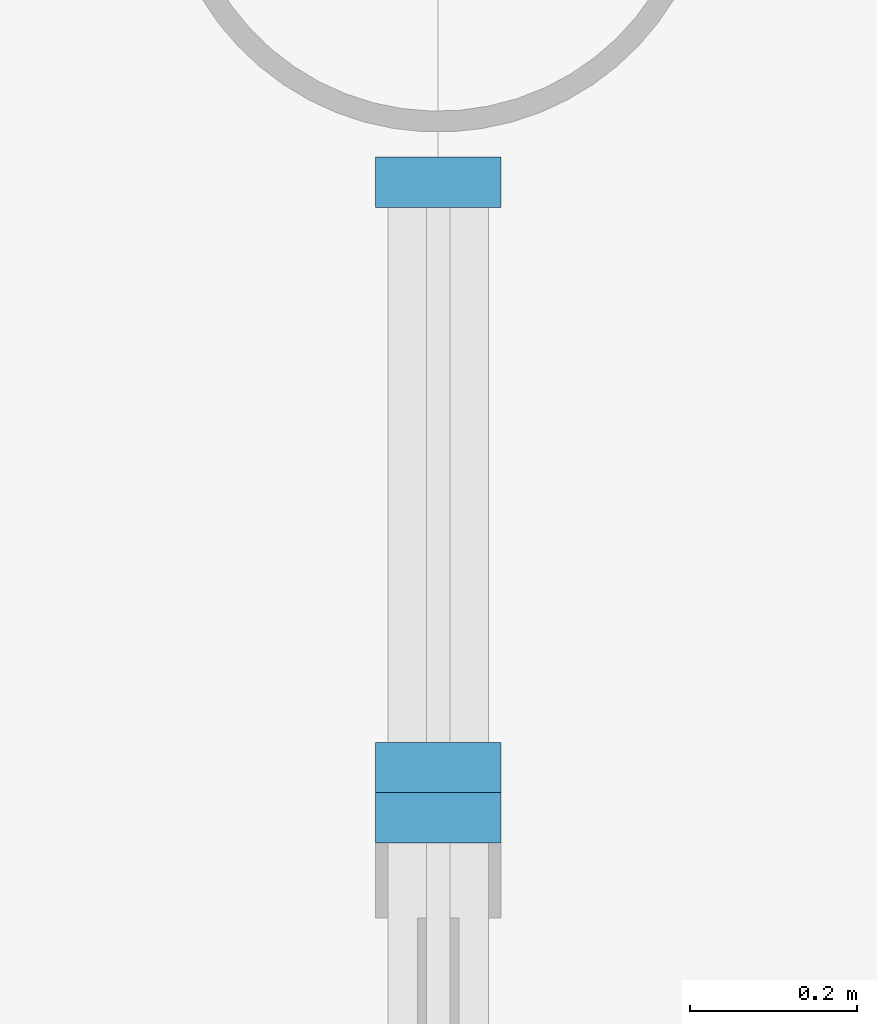
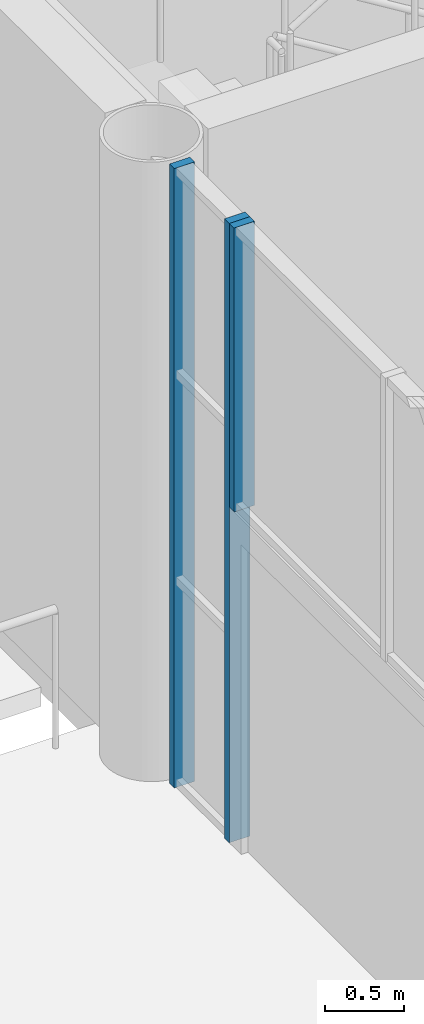
# One storey, part 23 of 91: 3 members, 2 elements without a shape of their own.
"""IFC4 building model written with IfcOpenShell, lengths in metres."""

from ifc_helpers import new_model, si_unit, direction, frame, origin, origin_2d, place, context, subcontext, project, spatial, rectangle, extrude, material, layer, layer_set, material_profile, profile_set, type_object, element, aggregate, save


model = new_model("IFC4")

# Units and contexts
model_context = context("Model", 3, precision=1e-05, world=origin(), true_north=direction((0.0, 1.0)))
body_context = subcontext(model_context, "Body", "Model", "MODEL_VIEW")
ifc_project = project(units=[si_unit("LENGTHUNIT", "METRE"), si_unit("AREAUNIT", "SQUARE_METRE"), si_unit("VOLUMEUNIT", "CUBIC_METRE"), si_unit("PLANEANGLEUNIT", "RADIAN"), si_unit("MASSUNIT", "GRAM", prefix="KILO")], contexts=[model_context])

# Site, building, storey
site_placement = place(None, origin())
site = spatial("IfcSite", under=ifc_project, at=site_placement, CompositionType="ELEMENT")
building_placement = place(site_placement, origin())
building = spatial("IfcBuilding", under=site, at=building_placement, Name="Magnolia Steps Interchange", CompositionType="ELEMENT")
storey_placement = place(building_placement, origin())
storey = spatial("IfcBuildingStorey", under=building, at=storey_placement, Name="L00", CompositionType="ELEMENT", Elevation=0.0)

# Curtain wall, member
ifc_material_1 = material(Name="Powder-coated aluminium and glass", Category="aluminium")
ifc_layer = layer(ifc_material_1, 0.14990234375)
ifc_layer_set = layer_set([ifc_layer], Name="Glazed hall curtain wall")
curtain_wall_type = type_object("IfcCurtainWallType", Name="Glazed hall curtain wall", PredefinedType="NOTDEFINED", material=ifc_layer_set)
curtain_wall_1_placement = place(storey_placement, origin())
curtain_wall_1 = element("IfcCurtainWall", 1, at=curtain_wall_1_placement, inside=storey, type_object=curtain_wall_type, Name="Hall entrance fanlight W3-2", PredefinedType="NOTDEFINED")
ifc_material_2 = material(Name="White powder-coated aluminium", Category="aluminium")
ifc_material_profile = material_profile(ifc_material_2, rectangle(XDim=0.06005859375, YDim=0.14990234375, at=origin_2d()), Name="Aluminium mullion 60 x 150")
ifc_profile_set = profile_set([ifc_material_profile], Name="White powder-coated aluminium")
member_type = type_object("IfcMemberType", Name="Aluminium mullion 60 x 150", PredefinedType="MULLION", material=ifc_profile_set)
member_1_placement = place(storey_placement, frame((53.199951171875, 73.64990234375, 2.60009765625), z_axis=(0.0, 0.0, 1.0), x_axis=(0.0, 1.0, 0.0)))
member_1 = element("IfcMember", 2, at=member_1_placement, type_object=member_type, Name="CW1 mullion 3", PredefinedType="MULLION", context=body_context, shape_type="SweptSolid", body=[
    extrude(rectangle(XDim=0.06005859375, YDim=0.14990234375, at=origin_2d()), origin(), (0.0, 0.0, 1.0), 2.199951171875),
])
aggregate(curtain_wall_1, [member_1])

# Curtain wall, members
curtain_wall_2_placement = place(storey_placement, origin())
curtain_wall_2 = element("IfcCurtainWall", 3, at=curtain_wall_2_placement, inside=storey, type_object=curtain_wall_type, Name="Hall glazing W3z L00", PredefinedType="NOTDEFINED")
member_2_placement = place(storey_placement, frame((53.199951171875, 73.7099609375, 0.0), z_axis=(0.0, 0.0, 1.0), x_axis=(0.0, 1.0, 0.0)))
member_2 = element("IfcMember", 4, at=member_2_placement, type_object=member_type, Name="CW1 mullion 1", PredefinedType="MULLION", context=body_context, shape_type="SweptSolid", body=[
    extrude(rectangle(XDim=0.06005859375, YDim=0.14990234375, at=origin_2d()), origin(), (0.0, 0.0, 1.0), 4.800048828125),
])
member_3_placement = place(storey_placement, frame((53.199951171875, 74.409912109375, 0.0), z_axis=(0.0, 0.0, 1.0), x_axis=(0.0, 1.0, 0.0)))
member_3 = element("IfcMember", 5, at=member_3_placement, type_object=member_type, Name="CW1 mullion 2", PredefinedType="MULLION", context=body_context, shape_type="SweptSolid", body=[
    extrude(rectangle(XDim=0.06005859375, YDim=0.14990234375, at=origin_2d()), origin(), (0.0, 0.0, 1.0), 4.800048828125),
])
aggregate(curtain_wall_2, [member_2, member_3])

save(model, "model.ifc")
